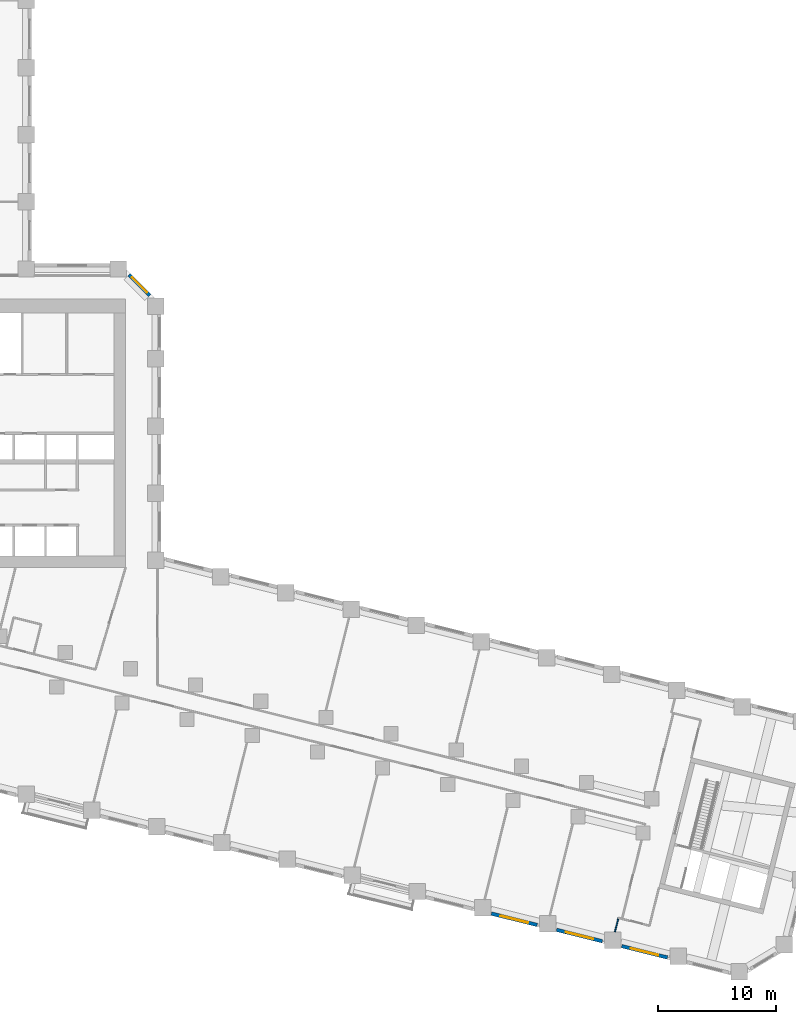
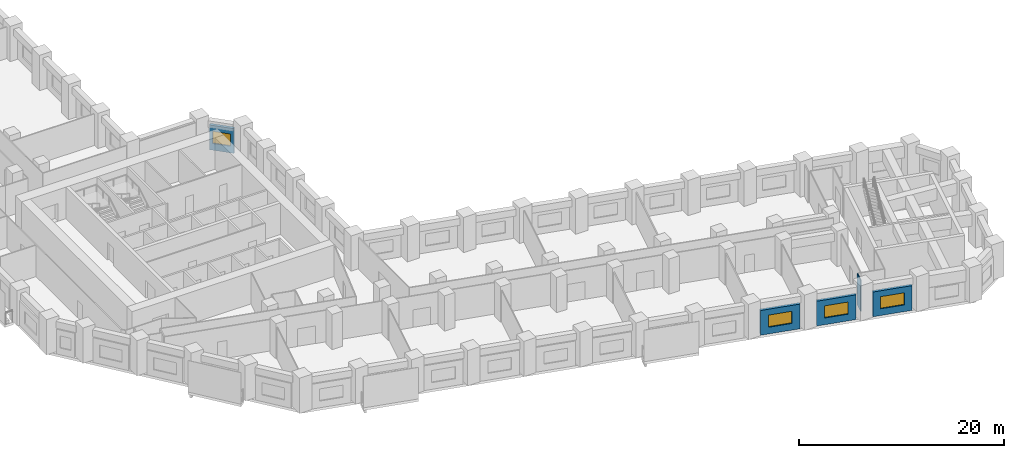
# One storey, part 7 of 12: 5 walls, 4 windows, 4 openings.
"""IFC4 building model written with IfcOpenShell, lengths in metres."""

from ifc_helpers import new_model, si_unit, direction, frame, frame_2d, origin, place, context, subcontext, project, spatial, rectangle, extrude, material, layer, layer_set, type_object, element, fill, save


model = new_model("IFC4")

# Units and contexts
model_context = context("Model", 3, precision=1e-05, world=origin(), true_north=direction((0.0, 1.0)))
body_context = subcontext(model_context, "Body", "Model", "MODEL_VIEW")
ifc_project = project(units=[si_unit("LENGTHUNIT", "METRE"), si_unit("AREAUNIT", "SQUARE_METRE"), si_unit("VOLUMEUNIT", "CUBIC_METRE"), si_unit("PLANEANGLEUNIT", "RADIAN"), si_unit("MASSUNIT", "GRAM", prefix="KILO")], contexts=[model_context])

# Site, building, storey
site_placement = place(None, origin())
site = spatial("IfcSite", under=ifc_project, at=site_placement, CompositionType="ELEMENT")
building_placement = place(site_placement, origin())
building = spatial("IfcBuilding", under=site, at=building_placement, Name="Meshkara Civic Tower", CompositionType="ELEMENT")
storey_placement = place(building_placement, frame((0.0, 0.0, 87.60009765625)))
storey = spatial("IfcBuildingStorey", under=building, at=storey_placement, Name="L19", CompositionType="ELEMENT", Elevation=87.60009765625)

# Wall, opening, window
ifc_material_1 = material(Name="Insulated infill panel with bronze anodised aluminium cladding", Category="aluminium")
ifc_layer_1 = layer(ifc_material_1, 0.300048828125)
ifc_layer_set_1 = layer_set([ifc_layer_1], Name="EXTERNAL INFILL WALL 300")
wall_type_1 = type_object("IfcWallType", Name="EXTERNAL INFILL WALL 300", PredefinedType="SOLIDWALL", material=ifc_layer_set_1)
wall_1_placement = place(storey_placement, frame((32.862060546875, 37.2060546875, 0.0), z_axis=(0.0, 0.0, 1.0), x_axis=(-0.707155935319, 0.707057623637, 0.0)))
wall_1 = element("IfcWall", 1, at=wall_1_placement, inside=storey, type_object=wall_type_1, Name="External wall", PredefinedType="SOLIDWALL", context=body_context, shape_type="SweptSolid", body=[
    extrude(rectangle(XDim=2.4833984375, YDim=0.300048828125, at=frame_2d((1.24169921875, 0.0))), origin(), (0.0, 0.0, 1.0), 2.949951171875),
])
opening_1_placement = place(wall_1_placement, frame((0.342041015625, 0.0, 0.800048828125)))
opening_1 = element("IfcOpeningElement", 2, at=opening_1_placement, cuts=wall_1, Name="Opening W10", PredefinedType="OPENING", context=body_context, shape_type="SweptSolid", body=[
    extrude(rectangle(XDim=1.800048828125, YDim=1.449951171875, at=frame_2d((0.89990234375, 0.72509765625))), frame((0.0, 0.159912109375, 0.0), z_axis=(0.0, -1.0, 0.0), x_axis=(1.0, 0.0, 0.0)), (0.0, 0.0, 1.0), 0.320068359375),
])
ifc_material_2 = material(Name="Tinted double glazing", Category="glass")
window_type_1 = type_object("IfcWindowType", Name="WINDOW 1800x1450", PartitioningType="DOUBLE_PANEL_VERTICAL", PredefinedType="WINDOW", material=ifc_material_2)
window_1_placement = place(opening_1_placement, origin())
window_1 = element("IfcWindow", 3, at=window_1_placement, inside=storey, type_object=window_type_1, Name="Window", OverallHeight=1.449951171875, OverallWidth=1.800048828125, PartitioningType="DOUBLE_PANEL_VERTICAL", PredefinedType="WINDOW", context=body_context, shape_type="SweptSolid", body=[
    extrude(rectangle(XDim=1.800048828125, YDim=1.449951171875, at=frame_2d((0.89990234375, 0.72509765625))), frame((0.0, 0.030029296875, 0.0), z_axis=(0.0, -1.0, 0.0), x_axis=(1.0, 0.0, 0.0)), (0.0, 0.0, 1.0), 0.06005859375),
])
fill(opening_1, window_1)

wall_2_placement = place(storey_placement, frame((61.847900390625, -15.26611328125, 0.0), z_axis=(0.0, 0.0, 1.0), x_axis=(0.970318089187, -0.241832185196, 0.0)))
wall_2 = element("IfcWall", 4, at=wall_2_placement, inside=storey, type_object=wall_type_1, Name="External wall", PredefinedType="SOLIDWALL", context=body_context, shape_type="SweptSolid", body=[
    extrude(rectangle(XDim=4.001953125, YDim=0.300048828125, at=frame_2d((2.0009765625, 0.0))), origin(), (0.0, 0.0, 1.0), 2.949951171875),
])
opening_2_placement = place(wall_2_placement, frame((0.801025390625, 0.0, 0.800048828125)))
opening_2 = element("IfcOpeningElement", 5, at=opening_2_placement, cuts=wall_2, Name="Opening W8", PredefinedType="OPENING", context=body_context, shape_type="SweptSolid", body=[
    extrude(rectangle(XDim=2.39990234375, YDim=1.449951171875, at=frame_2d((1.199951171875, 0.72509765625))), frame((0.0, 0.159912109375, 0.0), z_axis=(0.0, -1.0, 0.0), x_axis=(1.0, 0.0, 0.0)), (0.0, 0.0, 1.0), 0.320068359375),
])
ifc_material_3 = material(Name="Tinted double glazing", Category="glass")
window_type_2 = type_object("IfcWindowType", Name="WINDOW 2400x1450", PartitioningType="DOUBLE_PANEL_VERTICAL", PredefinedType="WINDOW", material=ifc_material_3)
window_2_placement = place(opening_2_placement, origin())
window_2 = element("IfcWindow", 6, at=window_2_placement, inside=storey, type_object=window_type_2, Name="Window", OverallHeight=1.449951171875, OverallWidth=2.39990234375, PartitioningType="DOUBLE_PANEL_VERTICAL", PredefinedType="WINDOW", context=body_context, shape_type="SweptSolid", body=[
    extrude(rectangle(XDim=2.39990234375, YDim=1.449951171875, at=frame_2d((1.199951171875, 0.72509765625))), frame((0.0, 0.030029296875, 0.0), z_axis=(0.0, -1.0, 0.0), x_axis=(1.0, 0.0, 0.0)), (0.0, 0.0, 1.0), 0.06005859375),
])
fill(opening_2, window_2)

wall_3_placement = place(storey_placement, frame((67.3779296875, -16.64404296875, 0.0), z_axis=(0.0, 0.0, 1.0), x_axis=(0.970260773365, -0.242062040951, 0.0)))
wall_3 = element("IfcWall", 7, at=wall_3_placement, inside=storey, type_object=wall_type_1, Name="External wall", PredefinedType="SOLIDWALL", context=body_context, shape_type="SweptSolid", body=[
    extrude(rectangle(XDim=4.003173828125, YDim=0.300048828125, at=frame_2d((2.00146484375, 0.0))), origin(), (0.0, 0.0, 1.0), 2.949951171875),
])
opening_3_placement = place(wall_3_placement, frame((0.802001953125, 0.0, 0.800048828125)))
opening_3 = element("IfcOpeningElement", 8, at=opening_3_placement, cuts=wall_3, Name="Opening W8", PredefinedType="OPENING", context=body_context, shape_type="SweptSolid", body=[
    extrude(rectangle(XDim=2.39990234375, YDim=1.449951171875, at=frame_2d((1.199951171875, 0.72509765625))), frame((0.0, 0.159912109375, 0.0), z_axis=(0.0, -1.0, 0.0), x_axis=(1.0, 0.0, 0.0)), (0.0, 0.0, 1.0), 0.320068359375),
])
window_3_placement = place(opening_3_placement, origin())
window_3 = element("IfcWindow", 9, at=window_3_placement, inside=storey, type_object=window_type_2, Name="Window", OverallHeight=1.449951171875, OverallWidth=2.39990234375, PartitioningType="DOUBLE_PANEL_VERTICAL", PredefinedType="WINDOW", context=body_context, shape_type="SweptSolid", body=[
    extrude(rectangle(XDim=2.39990234375, YDim=1.449951171875, at=frame_2d((1.199951171875, 0.72509765625))), frame((0.0, 0.030029296875, 0.0), z_axis=(0.0, -1.0, 0.0), x_axis=(1.0, 0.0, 0.0)), (0.0, 0.0, 1.0), 0.06005859375),
])
fill(opening_3, window_3)

wall_4_placement = place(storey_placement, frame((72.908935546875, -18.02294921875, 0.0), z_axis=(0.0, 0.0, 1.0), x_axis=(0.970260773365, -0.242062040951, 0.0)))
wall_4 = element("IfcWall", 10, at=wall_4_placement, inside=storey, type_object=wall_type_1, Name="External wall", PredefinedType="SOLIDWALL", context=body_context, shape_type="SweptSolid", body=[
    extrude(rectangle(XDim=4.003173828125, YDim=0.300048828125, at=frame_2d((2.00146484375, 0.0))), origin(), (0.0, 0.0, 1.0), 2.949951171875),
])
opening_4_placement = place(wall_4_placement, frame((0.802001953125, 0.0, 0.800048828125)))
opening_4 = element("IfcOpeningElement", 11, at=opening_4_placement, cuts=wall_4, Name="Opening W8", PredefinedType="OPENING", context=body_context, shape_type="SweptSolid", body=[
    extrude(rectangle(XDim=2.39990234375, YDim=1.449951171875, at=frame_2d((1.199951171875, 0.72509765625))), frame((0.0, 0.159912109375, 0.0), z_axis=(0.0, -1.0, 0.0), x_axis=(1.0, 0.0, 0.0)), (0.0, 0.0, 1.0), 0.320068359375),
])
window_4_placement = place(opening_4_placement, origin())
window_4 = element("IfcWindow", 12, at=window_4_placement, inside=storey, type_object=window_type_2, Name="Window", OverallHeight=1.449951171875, OverallWidth=2.39990234375, PartitioningType="DOUBLE_PANEL_VERTICAL", PredefinedType="WINDOW", context=body_context, shape_type="SweptSolid", body=[
    extrude(rectangle(XDim=2.39990234375, YDim=1.449951171875, at=frame_2d((1.199951171875, 0.72509765625))), frame((0.0, 0.030029296875, 0.0), z_axis=(0.0, -1.0, 0.0), x_axis=(1.0, 0.0, 0.0)), (0.0, 0.0, 1.0), 0.06005859375),
])
fill(opening_4, window_4)

# Wall
ifc_material_4 = material(Name="Partition 100")
ifc_layer_2 = layer(ifc_material_4, 0.10009765625)
ifc_layer_set_2 = layer_set([ifc_layer_2], Name="Partition 100")
wall_type_2 = type_object("IfcWallType", Name="Partition 100", PredefinedType="PARTITIONING", material=ifc_layer_set_2)
wall_5_placement = place(storey_placement, frame((72.3330078125, -16.826904296875, 0.0), z_axis=(0.0, 0.0, 1.0), x_axis=(0.241693721233, 0.97035258804, 0.0)))
element("IfcWall", 13, at=wall_5_placement, inside=storey, type_object=wall_type_2, Name="L19-W054", PredefinedType="PARTITIONING", context=body_context, shape_type="SweptSolid", body=[
    extrude(rectangle(XDim=1.228271484375, YDim=0.10009765625, at=frame_2d((0.6142578125, 0.0))), origin(), (0.0, 0.0, 1.0), 3.75),
])

save(model, "model.ifc")
